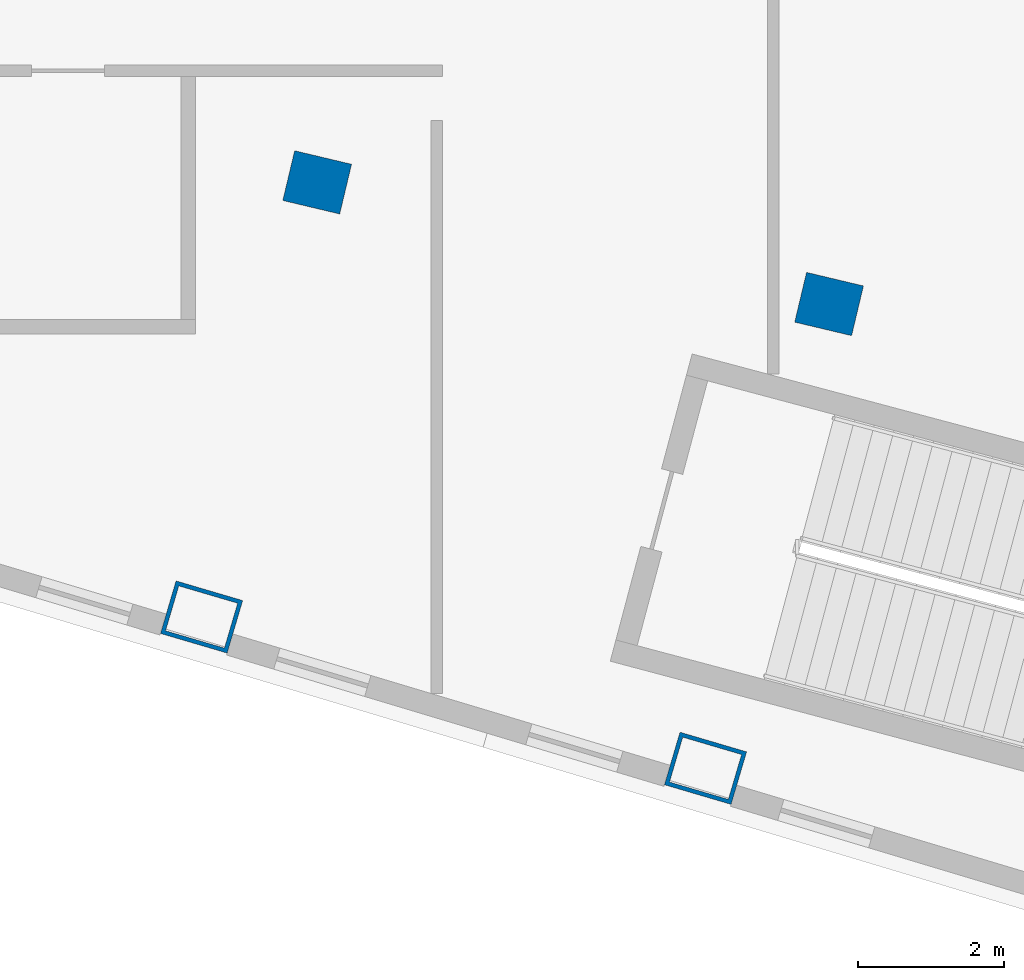
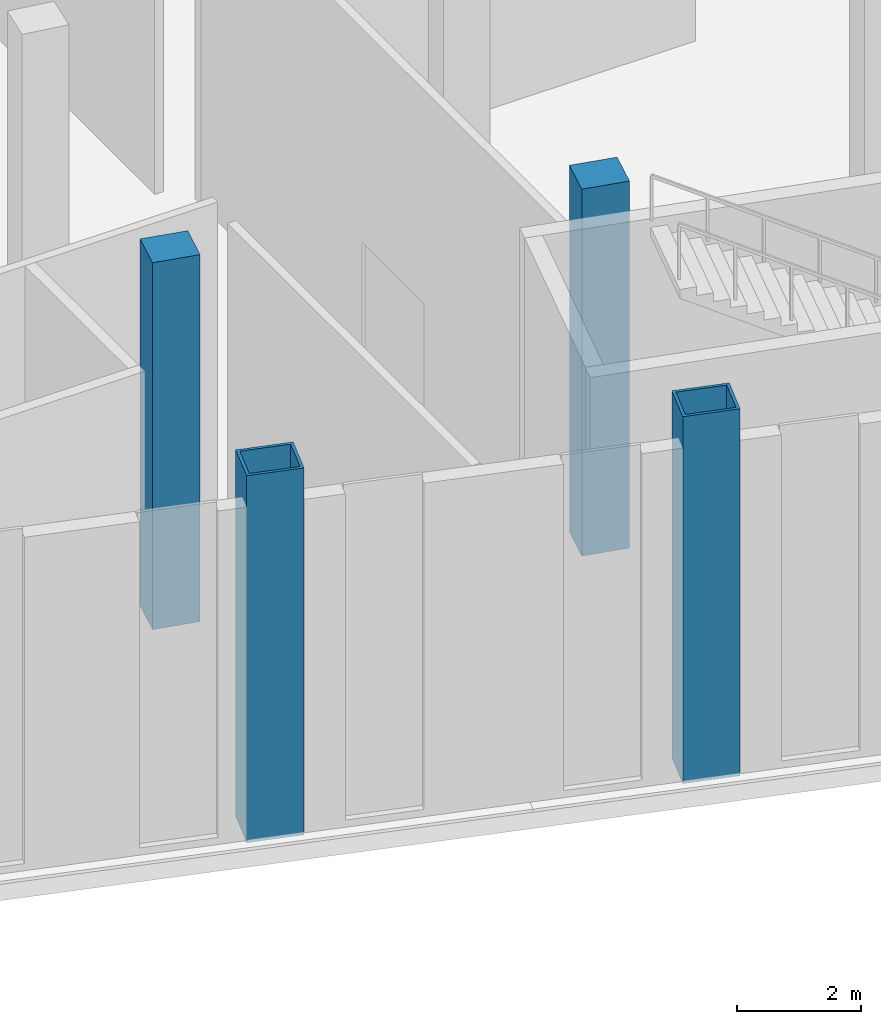
# One storey, part 2 of 24: 4 columns.
"""IFC4 building model written with IfcOpenShell, lengths in metres."""

from ifc_helpers import new_model, si_unit, direction, frame, origin, origin_2d, place, context, subcontext, project, spatial, rectangle, hollow_rectangle, extrude, material, material_profile, profile_set, type_object, element, save


model = new_model("IFC4")

# Units and contexts
model_context = context("Model", 3, precision=1e-05, world=origin(), true_north=direction((0.0, 1.0)))
body_context = subcontext(model_context, "Body", "Model", "MODEL_VIEW")
ifc_project = project(units=[si_unit("LENGTHUNIT", "METRE"), si_unit("AREAUNIT", "SQUARE_METRE"), si_unit("VOLUMEUNIT", "CUBIC_METRE"), si_unit("PLANEANGLEUNIT", "RADIAN"), si_unit("MASSUNIT", "GRAM", prefix="KILO")], contexts=[model_context])

# Site, building, storey
site_placement = place(None, origin())
site = spatial("IfcSite", under=ifc_project, at=site_placement, CompositionType="ELEMENT")
building_placement = place(site_placement, origin())
building = spatial("IfcBuilding", under=site, at=building_placement, Name="Alderwake Tower", CompositionType="ELEMENT")
storey_placement = place(building_placement, frame((0.0, 0.0, 232.39990234375)))
storey = spatial("IfcBuildingStorey", under=building, at=storey_placement, Name="L58", CompositionType="ELEMENT", Elevation=232.39990234375)

# Columns
ifc_material_1 = material(Name="Steel ASTM A572 Grade 50 concrete filled C70/85", Category="concrete")
ifc_material_profile_1 = material_profile(ifc_material_1, hollow_rectangle(XDim=0.75, YDim=0.949951171875, WallThickness=0.054931640625, at=origin_2d()), Name="BOX 950X750X55")
ifc_profile_set_1 = profile_set([ifc_material_profile_1], Name="Steel ASTM A572 Grade 50 concrete filled C70/85")
column_type_1 = type_object("IfcColumnType", Name="End column Z4", PredefinedType="COLUMN", material=ifc_profile_set_1)
for number, where, z_axis, x_axis, name in (
    (1, (31.080322265625, 28.27685546875, 0.0), (0.0, 0.0, 1.0), (0.282582549822, 0.959242984095, 0.0), "Column R02-C2"),
    (2, (37.976318359375, 26.20654296875, 0.0), (0.0, 0.0, 1.0), (0.282873846689, 0.959157123134, 0.0), "Column R02-C3"),
):
    element("IfcColumn", number, at=place(storey_placement, frame(where, z_axis=z_axis, x_axis=x_axis)), inside=storey, type_object=column_type_1, Name=name, PredefinedType="COLUMN", context=body_context, shape_type="SweptSolid", body=[
        extrude(hollow_rectangle(XDim=0.75, YDim=0.949951171875, WallThickness=0.054931640625, at=origin_2d()), origin(), (0.0, 0.0, 1.0), 7.2001953125),
    ])
ifc_material_2 = material(Name="Concrete C70/85", Category="concrete")
ifc_material_profile_2 = material_profile(ifc_material_2, rectangle(XDim=0.699951171875, YDim=0.800048828125, at=origin_2d()), Name="RC 800X700")
ifc_profile_set_2 = profile_set([ifc_material_profile_2], Name="Concrete C70/85")
column_type_2 = type_object("IfcColumnType", Name="Interior column Z4", PredefinedType="COLUMN", material=ifc_profile_set_2)
for number, where, z_axis, x_axis, name in (
    (3, (32.661865234375, 34.224609375, 0.0), (0.0, 0.0, 1.0), (0.231221547198, 0.972901123502, 0.0), "Column R03-C2"),
    (4, (39.666748046875, 32.559814453125, 0.0), (0.0, 0.0, 1.0), (0.231221547198, 0.972901123502, 0.0), "Column R03-C3"),
):
    element("IfcColumn", number, at=place(storey_placement, frame(where, z_axis=z_axis, x_axis=x_axis)), inside=storey, type_object=column_type_2, Name=name, PredefinedType="COLUMN", context=body_context, shape_type="SweptSolid", body=[
        extrude(rectangle(XDim=0.699951171875, YDim=0.800048828125, at=origin_2d()), origin(), (0.0, 0.0, 1.0), 7.2001953125),
    ])

save(model, "model.ifc")
